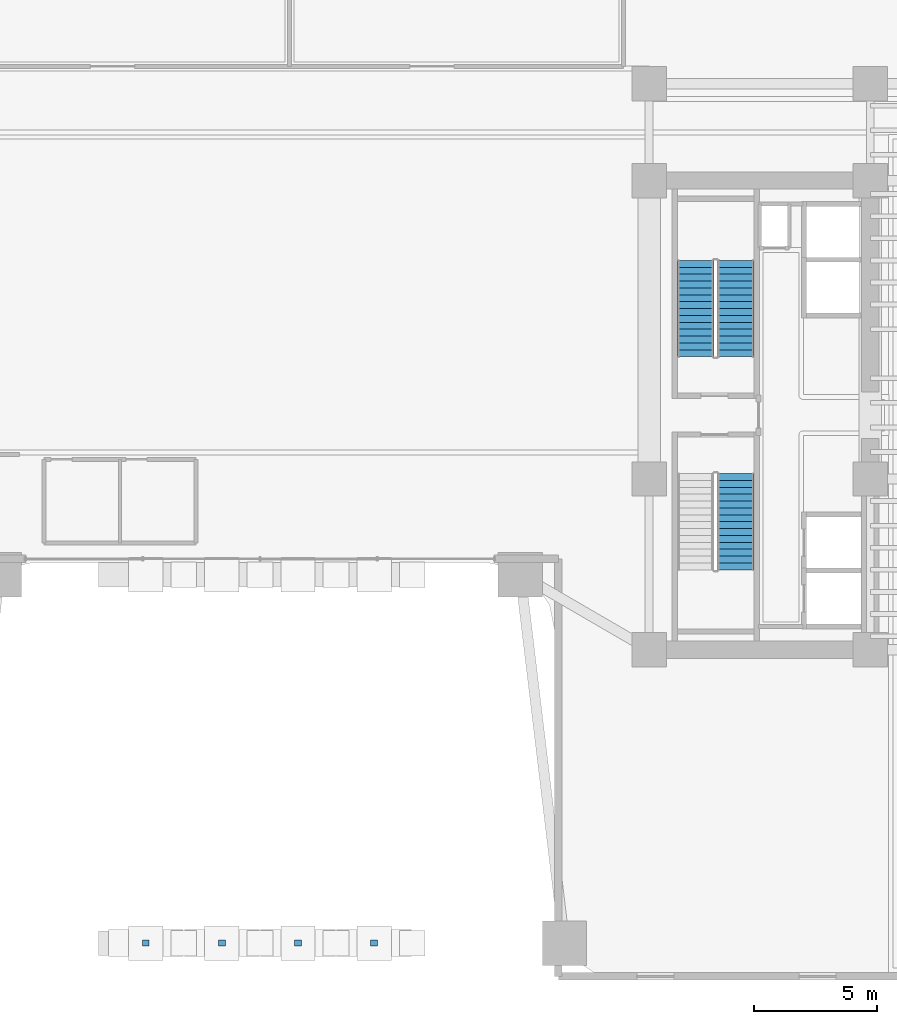
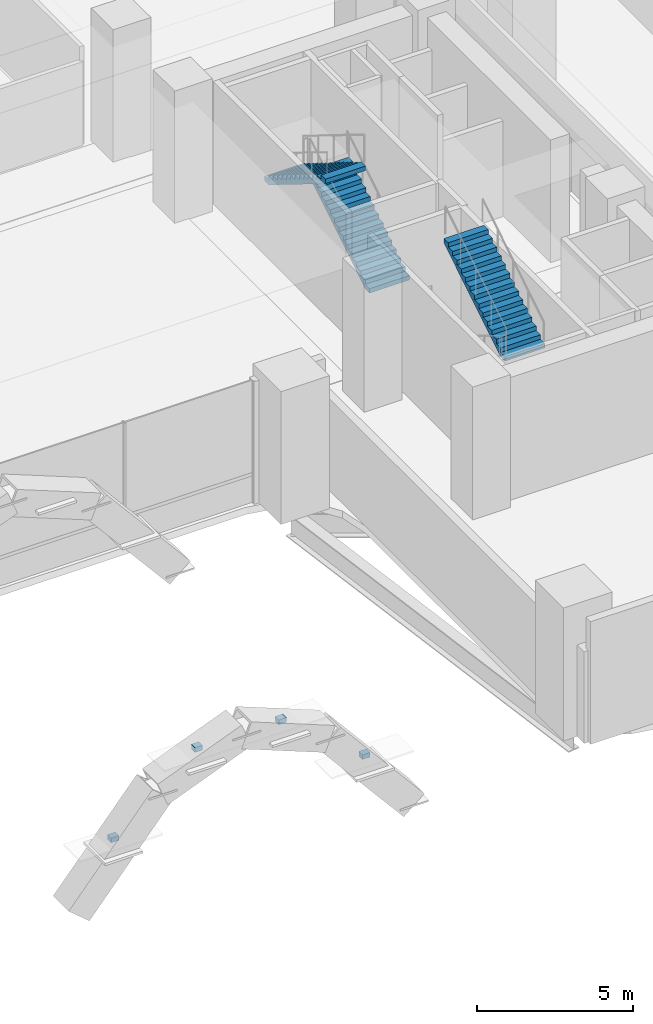
# One storey, part 30 of 39: 4 discrete accessories, 3 stair flights, 2 elements without a shape of their own.
"""IFC4 building model written with IfcOpenShell, lengths in metres."""

from ifc_helpers import new_model, si_unit, direction, frame, origin, origin_2d, place, context, subcontext, project, spatial, polyline, rectangle, outline, extrude, source, transform, mapped, material, type_object, element, aggregate, save


model = new_model("IFC4")

# Units and contexts
model_context = context("Model", 3, precision=1e-05, world=origin(), true_north=direction((0.0, 1.0)))
body_context = subcontext(model_context, "Body", "Model", "MODEL_VIEW")
ifc_project = project(units=[si_unit("LENGTHUNIT", "METRE"), si_unit("AREAUNIT", "SQUARE_METRE"), si_unit("VOLUMEUNIT", "CUBIC_METRE"), si_unit("PLANEANGLEUNIT", "RADIAN"), si_unit("MASSUNIT", "GRAM", prefix="KILO")], contexts=[model_context])

# Site, building, storey
site_placement = place(None, origin())
site = spatial("IfcSite", under=ifc_project, at=site_placement, CompositionType="ELEMENT")
building_placement = place(site_placement, origin())
building = spatial("IfcBuilding", under=site, at=building_placement, Name="Valdorenza Pilgrim Sanctuary Tower", CompositionType="ELEMENT")
storey_placement = place(building_placement, frame((0.0, 0.0, 15.60009765625)))
storey = spatial("IfcBuildingStorey", under=building, at=storey_placement, Name="L03", CompositionType="ELEMENT", Elevation=15.60009765625)

# Stair, stair flights
ifc_material_1 = material(Name="Concrete C40/50", Category="concrete")
stair_type = type_object("IfcStairType", Name="STR-DOG-CORE", PredefinedType="HALF_TURN_STAIR", material=ifc_material_1)
stair_1_placement = place(storey_placement, origin())
stair_1 = element("IfcStair", 1, at=stair_1_placement, inside=storey, type_object=stair_type, Name="L03 ST-B1", PredefinedType="HALF_TURN_STAIR")
stair_flight_type = type_object("IfcStairFlightType", Name="STF-RC-1400", PredefinedType="STRAIGHT", material=ifc_material_1)
stair_flight_1_placement = place(storey_placement, frame((19.3701171875, 2.3798828125, 0.0), z_axis=(0.0, 0.0, 1.0), x_axis=(0.0, 1.0, 0.0)))
stair_flight_1 = element("IfcStairFlight", 2, at=stair_flight_1_placement, type_object=stair_flight_type, Name="ST-B1 flight 1", NumberOfRisers=15, NumberOfTreads=14, PredefinedType="STRAIGHT", RiserHeight=0.173333333, TreadLength=0.28, context=body_context, shape_type="SweptSolid", body=[
    extrude(outline(polyline([(0.0, 0.0), (0.0, 0.17333984375), (0.280029296875, 0.17333984375), (0.280029296875, 0.3466796875), (0.56005859375, 0.3466796875), (0.56005859375, 0.52001953125), (0.840087890625, 0.52001953125), (0.840087890625, 0.693359375), (1.1201171875, 0.693359375), (1.1201171875, 0.86669921875), (1.39990234375, 0.86669921875), (1.39990234375, 1.0400390625), (1.679931640625, 1.0400390625), (1.679931640625, 1.21337890625), (1.9599609375, 1.21337890625), (1.9599609375, 1.38671875), (2.239990234375, 1.38671875), (2.239990234375, 1.56005859375), (2.52001953125, 1.56005859375), (2.52001953125, 1.7333984375), (2.800048828125, 1.7333984375), (2.800048828125, 1.90673828125), (3.080078125, 1.90673828125), (3.080078125, 2.080078125), (3.360107421875, 2.080078125), (3.360107421875, 2.25341796875), (3.639892578125, 2.25341796875), (3.639892578125, 2.4267578125), (3.919921875, 2.4267578125), (3.919921875, 2.60009765625), (3.919921875, 2.250244140625), (0.284912109375, 0.0), (0.0, 0.0)])), frame((0.0, 0.739990234375, 0.0), z_axis=(0.0, -1.0, 0.0), x_axis=(1.0, 0.0, 0.0)), (0.0, 0.0, 1.0), 1.47998046875),
])
stair_flight_2_placement = place(storey_placement, frame((17.739990234375, 6.300048828125, 2.599853515625), z_axis=(0.0, 0.0, 1.0), x_axis=(0.0, -1.0, 0.0)))
stair_flight_2 = element("IfcStairFlight", 3, at=stair_flight_2_placement, type_object=stair_flight_type, Name="ST-B1 flight 2", NumberOfRisers=15, NumberOfTreads=14, PredefinedType="STRAIGHT", RiserHeight=0.173333333, TreadLength=0.28, context=body_context, shape_type="SweptSolid", body=[
    extrude(outline(polyline([(0.0, 0.0), (0.0, 0.17333984375), (0.280029296875, 0.17333984375), (0.280029296875, 0.3466796875), (0.56005859375, 0.3466796875), (0.56005859375, 0.52001953125), (0.840087890625, 0.52001953125), (0.840087890625, 0.693359375), (1.1201171875, 0.693359375), (1.1201171875, 0.86669921875), (1.39990234375, 0.86669921875), (1.39990234375, 1.0400390625), (1.679931640625, 1.0400390625), (1.679931640625, 1.21337890625), (1.9599609375, 1.21337890625), (1.9599609375, 1.38671875), (2.239990234375, 1.38671875), (2.239990234375, 1.56005859375), (2.52001953125, 1.56005859375), (2.52001953125, 1.7333984375), (2.800048828125, 1.7333984375), (2.800048828125, 1.90673828125), (3.080078125, 1.90673828125), (3.080078125, 2.080078125), (3.360107421875, 2.080078125), (3.360107421875, 2.25341796875), (3.639892578125, 2.25341796875), (3.639892578125, 2.4267578125), (3.919921875, 2.4267578125), (3.919921875, 2.60009765625), (3.919921875, 2.250244140625), (0.284912109375, 0.0), (0.0, 0.0)])), frame((0.0, 0.739990234375, 0.0), z_axis=(0.0, -1.0, 0.0), x_axis=(1.0, 0.0, 0.0)), (0.0, 0.0, 1.0), 1.47998046875),
])
aggregate(stair_1, [stair_flight_1, stair_flight_2])

# Stair, stair flight
stair_2_placement = place(storey_placement, origin())
stair_2 = element("IfcStair", 4, at=stair_2_placement, inside=storey, type_object=stair_type, Name="L03 ST-B2", PredefinedType="HALF_TURN_STAIR")
stair_flight_3_placement = place(storey_placement, frame((19.3701171875, -6.300048828125, 2.599853515625), z_axis=(0.0, 0.0, 1.0), x_axis=(0.0, 1.0, 0.0)))
stair_flight_3 = element("IfcStairFlight", 5, at=stair_flight_3_placement, type_object=stair_flight_type, Name="ST-B2 flight 2", NumberOfRisers=15, NumberOfTreads=14, PredefinedType="STRAIGHT", RiserHeight=0.173333333, TreadLength=0.28, context=body_context, shape_type="SweptSolid", body=[
    extrude(outline(polyline([(0.0, 0.0), (0.0, 0.17333984375), (0.280029296875, 0.17333984375), (0.280029296875, 0.3466796875), (0.56005859375, 0.3466796875), (0.56005859375, 0.52001953125), (0.840087890625, 0.52001953125), (0.840087890625, 0.693359375), (1.1201171875, 0.693359375), (1.1201171875, 0.86669921875), (1.39990234375, 0.86669921875), (1.39990234375, 1.0400390625), (1.679931640625, 1.0400390625), (1.679931640625, 1.21337890625), (1.9599609375, 1.21337890625), (1.9599609375, 1.38671875), (2.239990234375, 1.38671875), (2.239990234375, 1.56005859375), (2.52001953125, 1.56005859375), (2.52001953125, 1.7333984375), (2.800048828125, 1.7333984375), (2.800048828125, 1.90673828125), (3.080078125, 1.90673828125), (3.080078125, 2.080078125), (3.360107421875, 2.080078125), (3.360107421875, 2.25341796875), (3.639892578125, 2.25341796875), (3.639892578125, 2.4267578125), (3.919921875, 2.4267578125), (3.919921875, 2.60009765625), (3.919921875, 2.250244140625), (0.284912109375, 0.0), (0.0, 0.0)])), frame((0.0, 0.739990234375, 0.0), z_axis=(0.0, -1.0, 0.0), x_axis=(1.0, 0.0, 0.0)), (0.0, 0.0, 1.0), 1.47998046875),
])
aggregate(stair_2, [stair_flight_3])

# Discrete accessories
ifc_material_2 = material(Name="Stainless steel Grade 316", Category="steel")
discrete_accessory_type = type_object("IfcDiscreteAccessoryType", Name="ACC-BRK-STN", PredefinedType="BRACKET", material=ifc_material_2)
shared_shape = source(origin(), body_context, "Body", "SweptSolid", [
    extrude(rectangle(XDim=0.280029296875, YDim=0.239990234375, at=origin_2d()), origin(), (0.0, 0.0, 1.0), 0.179931640625),
])
for number, where, z_axis, x_axis, name in (
    (6, (-4.64990234375, -21.5, 1.24365234375), (0.0, 0.0, 1.0), (1.0, 0.0, 0.0), "Portal Arch Soffit Support Bracket 3"),
    (7, (-1.550048828125, -21.5, 3.69384765625), (0.0, 0.0, 1.0), (1.0, 0.0, 0.0), "Portal Arch Soffit Support Bracket 4"),
    (8, (1.550048828125, -21.5, 3.69384765625), (0.0, 0.0, 1.0), (1.0, 0.0, 0.0), "Portal Arch Soffit Support Bracket 5"),
    (9, (4.64990234375, -21.5, 1.24365234375), (0.0, 0.0, 1.0), (1.0, 0.0, 0.0), "Portal Arch Soffit Support Bracket 6"),
):
    element("IfcDiscreteAccessory", number, at=place(storey_placement, frame(where, z_axis=z_axis, x_axis=x_axis)), inside=storey, type_object=discrete_accessory_type, Name=name, PredefinedType="BRACKET", context=body_context, shape_type="MappedRepresentation", body=[
        mapped(shared_shape, transform((0.0, 0.0, 0.0), x_axis=(1.0, 0.0, 0.0), y_axis=(0.0, 1.0, 0.0), z_axis=(0.0, 0.0, 1.0), scale=1.0)),
    ])

save(model, "model.ifc")
